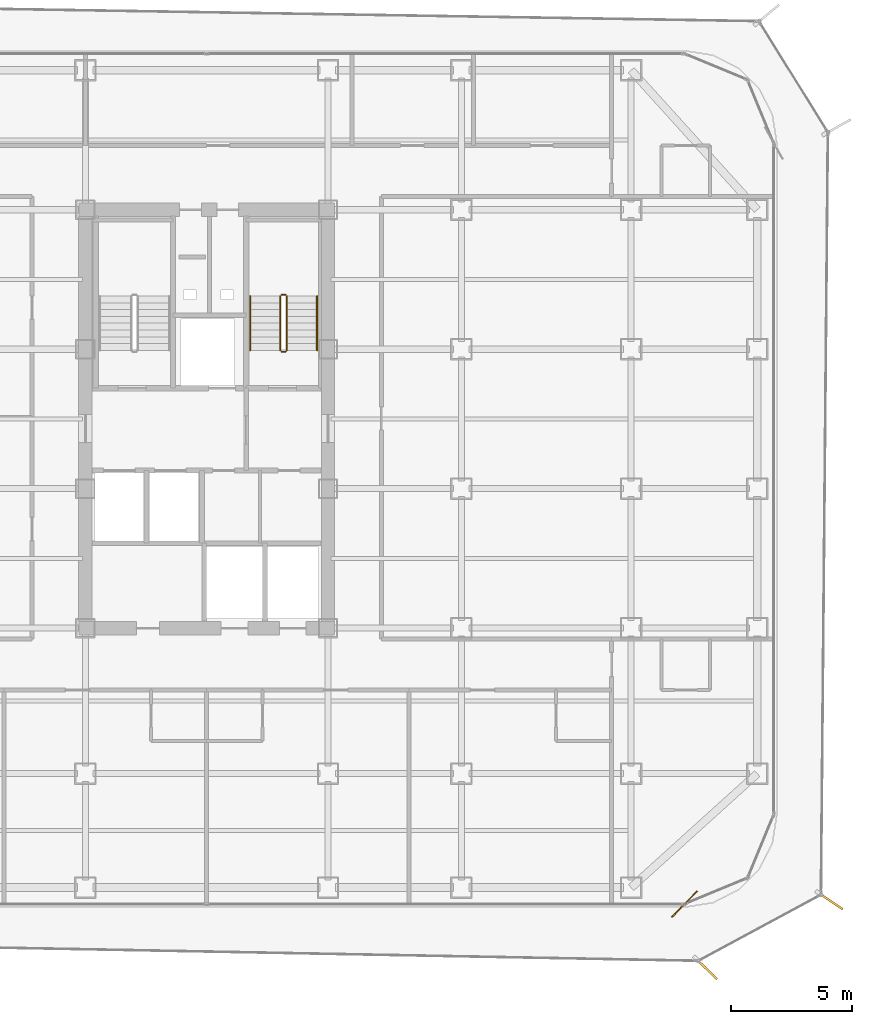
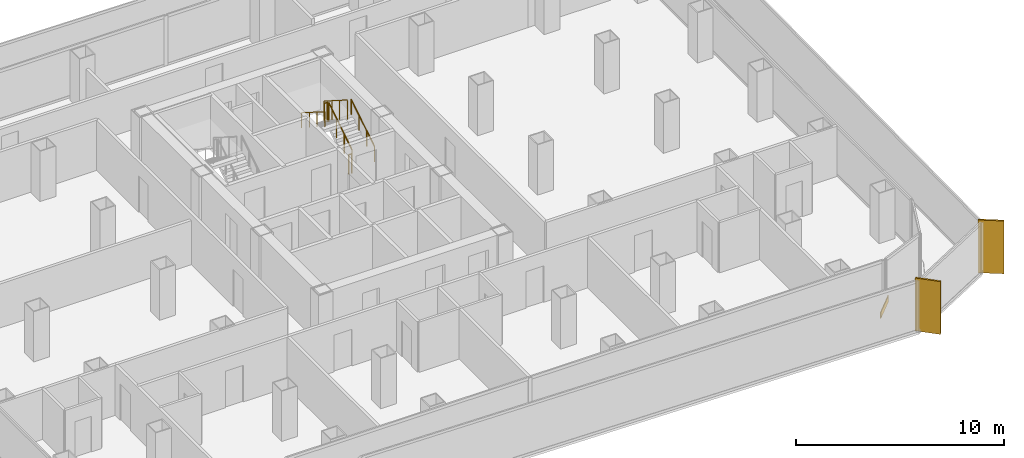
# One storey, part 20 of 21: 6 railings, 2 shading devices, 1 covering.
"""IFC4 building model written with IfcOpenShell, lengths in metres."""

import ifcopenshell
import ifcopenshell.guid

model = None  # the IFC model being written
_history = None  # IfcOwnerHistory: only IFC2X3 demands one
_inside = {}  # id of a spatial element -> (the spatial element, [elements in it])
_under = {}  # id of a project, library or spatial element -> (it, [spatial elements below it])
_declared = {}  # id of a project -> (the project, [libraries it declares])
_typed = {}  # id of a type object -> (the type object, [elements of that type])
_made_of = {}  # id of a material, layer set ... -> (it, [elements and type objects made of it])


def new_model(schema):
    """Start an empty IFC model of exactly this schema.

    Asked for "IFC4X3", IfcOpenShell would pick the latest addendum, in which some entities
    have other attributes; the version numbers below select the first issue.
    IFC2X3 requires an IfcOwnerHistory on every rooted entity: one is made here for all.
    """
    global model, _history
    if schema == "IFC4X3":
        model = ifcopenshell.file(schema_version=(4, 3, 0, 0))
    else:
        model = ifcopenshell.file(schema=schema)
    _inside.clear()
    _under.clear()
    _declared.clear()
    _typed.clear()
    _made_of.clear()
    _history = None
    if model.schema == "IFC2X3":
        org = make("IfcOrganization", Name="unknown")
        user = make(
            "IfcPersonAndOrganization",
            ThePerson=make("IfcPerson", FamilyName="unknown"),
            TheOrganization=org,
        )
        app = make(
            "IfcApplication",
            ApplicationDeveloper=org,
            Version="unknown",
            ApplicationFullName="unknown",
            ApplicationIdentifier="unknown",
        )
        _history = make(
            "IfcOwnerHistory",
            OwningUser=user,
            OwningApplication=app,
            ChangeAction="ADDED",
            CreationDate=0,
        )
    return model


def make(cls, **values):
    """One entity of the class cls with the attributes given. An attribute that is None is left unset."""
    return model.create_entity(
        cls, **{name: value for name, value in values.items() if value is not None}
    )


def rooted(cls, **values):
    """An entity with a GlobalId (a new one), such as an element, a storey or a relation."""
    return make(cls, GlobalId=ifcopenshell.guid.new(), OwnerHistory=_history, **values)


def si_unit(unit_type, name, prefix=None):
    """IfcSIUnit, for example si_unit("LENGTHUNIT", "METRE", prefix="MILLI")."""
    return make("IfcSIUnit", UnitType=unit_type, Prefix=prefix, Name=name)


def assignment(units):
    """IfcUnitAssignment: the units of a project."""
    return None if units is None else make("IfcUnitAssignment", Units=units)


def point(xyz):
    """IfcCartesianPoint."""
    return None if xyz is None else make("IfcCartesianPoint", Coordinates=xyz)


def direction(xyz):
    """IfcDirection."""
    return None if xyz is None else make("IfcDirection", DirectionRatios=xyz)


def frame(location, z_axis=None, x_axis=None):
    """IfcAxis2Placement3D, a coordinate frame: its origin and axes. An axis left out is left unset."""
    return make(
        "IfcAxis2Placement3D",
        Location=point(location),
        Axis=direction(z_axis),
        RefDirection=direction(x_axis),
    )


def frame_2d(location, x_axis=None):
    """IfcAxis2Placement2D, a coordinate frame in the plane: its origin and x axis."""
    return make(
        "IfcAxis2Placement2D", Location=point(location), RefDirection=direction(x_axis)
    )


def origin():
    """The frame at (0, 0, 0) with its axes left unset."""
    return frame((0.0, 0.0, 0.0))


def origin_2d():
    """The frame at (0, 0) in the plane with its x axis left unset."""
    return frame_2d((0.0, 0.0))


def place(relative_to, where):
    """IfcLocalPlacement: puts the frame where relative to a parent placement (None: the world)."""
    return make(
        "IfcLocalPlacement", PlacementRelTo=relative_to, RelativePlacement=where
    )


def context(
    kind, dimensions, precision=None, world=None, true_north=None, identifier=None
):
    """IfcGeometricRepresentationContext, for example the 3D "Model" context."""
    return make(
        "IfcGeometricRepresentationContext",
        ContextIdentifier=identifier,
        ContextType=kind,
        CoordinateSpaceDimension=dimensions,
        Precision=precision,
        WorldCoordinateSystem=world,
        TrueNorth=true_north,
    )


def subcontext(parent, identifier, kind, view, scale=None):
    """IfcGeometricRepresentationSubContext, for example "Body" below "Model"."""
    return make(
        "IfcGeometricRepresentationSubContext",
        ContextIdentifier=identifier,
        ContextType=kind,
        ParentContext=parent,
        TargetScale=scale,
        TargetView=view,
    )


def project(units=None, contexts=None):
    """IfcProject with its units and contexts."""
    return rooted(
        "IfcProject",
        Name="project",
        RepresentationContexts=contexts,
        UnitsInContext=assignment(units),
    )


def spatial(cls, under=None, at=None, **own):
    """A site, building, storey or space (cls), placed at a placement, below another one or the project."""
    s = rooted(cls, ObjectPlacement=at, **own)
    if under is not None:
        _under.setdefault(under.id(), (under, []))[1].append(s)
    return s


def profile(cls, at=None, kind="AREA", **sizes):
    """A parametric profile (cls). Its sizes go by their IFC names, for example OverallWidth=200.0."""
    return make(cls, ProfileType=kind, Position=at, **sizes)


def rectangle(**sizes):
    """IfcRectangleProfileDef."""
    return profile("IfcRectangleProfileDef", **sizes)


def circle(**sizes):
    """IfcCircleProfileDef."""
    return profile("IfcCircleProfileDef", **sizes)


def extrude(swept, where, along, depth):
    """IfcExtrudedAreaSolid: the profile swept, set in the frame where, extruded along a direction by depth."""
    return make(
        "IfcExtrudedAreaSolid",
        SweptArea=swept,
        Position=where,
        ExtrudedDirection=direction(along),
        Depth=depth,
    )


def shape(context_of_items, identifier, shape_type, items):
    """IfcShapeRepresentation: the items that make up one representation, for example the "Body"."""
    return make(
        "IfcShapeRepresentation",
        ContextOfItems=context_of_items,
        RepresentationIdentifier=identifier,
        RepresentationType=shape_type,
        Items=items,
    )


def source(mapping_origin, context_of_items, identifier, shape_type, items):
    """IfcRepresentationMap: a shape defined once, which mapped items show again and again."""
    return make(
        "IfcRepresentationMap",
        MappingOrigin=mapping_origin,
        MappedRepresentation=shape(context_of_items, identifier, shape_type, items),
    )


def transform(
    local_origin,
    x_axis=None,
    y_axis=None,
    z_axis=None,
    scale=None,
    scale2=None,
    scale3=None,
    uniform=True,
):
    """IfcCartesianTransformationOperator3D, or its non-uniform kind. x_axis, y_axis, z_axis: its Axis1, 2, 3."""
    if uniform:
        return make(
            "IfcCartesianTransformationOperator3D",
            Axis1=direction(x_axis),
            Axis2=direction(y_axis),
            LocalOrigin=point(local_origin),
            Scale=scale,
            Axis3=direction(z_axis),
        )
    return make(
        "IfcCartesianTransformationOperator3DnonUniform",
        Axis1=direction(x_axis),
        Axis2=direction(y_axis),
        LocalOrigin=point(local_origin),
        Scale=scale,
        Axis3=direction(z_axis),
        Scale2=scale2,
        Scale3=scale3,
    )


def mapped(mapping_source, mapping_target):
    """IfcMappedItem: shows the shape of a source again, moved by a transform."""
    return make(
        "IfcMappedItem", MappingSource=mapping_source, MappingTarget=mapping_target
    )


def material(Name=None, Category=None):
    """IfcMaterial."""
    return make("IfcMaterial", Name=Name, Category=Category)


def layer(
    of_material, thickness, ventilated=None, Name=None, Category=None, Priority=None
):
    """IfcMaterialLayer: one layer of a wall or slab, of a material (None: an air gap)."""
    return make(
        "IfcMaterialLayer",
        Material=of_material,
        LayerThickness=thickness,
        IsVentilated=ventilated,
        Name=Name,
        Category=Category,
        Priority=Priority,
    )


def layer_set(layers, Name=None):
    """IfcMaterialLayerSet."""
    return make("IfcMaterialLayerSet", MaterialLayers=layers, LayerSetName=Name)


def made_of(thing, what):
    """Note that an element or type object is made of a material, layer set ...; save() writes the relation."""
    if what is not None:
        _made_of.setdefault(what.id(), (what, []))[1].append(thing)
    return thing


def type_object(cls, material=None, **own):
    """A type object (cls), such as IfcWallType, which elements share."""
    return made_of(rooted(cls, **own), material)


def element(
    cls,
    number,
    at=None,
    inside=None,
    cuts=None,
    type_object=None,
    material=None,
    context=None,
    identifier="Body",
    shape_type=None,
    held_by="IfcProductDefinitionShape",
    body=None,
    shapes=None,
    **own,
):
    """One element of the class cls, such as IfcWall. Its Tag is "e" and its number.

    at: its placement. inside: the storey or other place that contains it. cuts: it is an
    opening in that element (IfcRelVoidsElement). A single representation is given by context,
    identifier, shape_type and body (its items); several are given by shapes. held_by: the class
    of the entity that holds the representations. save() writes the other relations.
    """
    e = rooted(cls, Tag="e%d" % number, ObjectPlacement=at, **own)
    if body is not None:
        shapes = [shape(context, identifier, shape_type, body)]
    if shapes is not None:
        e.Representation = make(held_by, Representations=shapes)
    if inside is not None:
        _inside.setdefault(inside.id(), (inside, []))[1].append(e)
    if cuts is not None:
        rooted(
            "IfcRelVoidsElement", RelatingBuildingElement=cuts, RelatedOpeningElement=e
        )
    if type_object is not None:
        _typed.setdefault(type_object.id(), (type_object, []))[1].append(e)
    return made_of(e, material)


def aggregate(whole, parts):
    """IfcRelAggregates: a whole, such as a stair, and the parts it consists of."""
    return rooted("IfcRelAggregates", RelatingObject=whole, RelatedObjects=parts)


def save(model, path):
    """Write the relations noted so far, then the file.

    IfcRelAggregates (storeys below a building ...), IfcRelContainedInSpatialStructure (elements
    in a storey), IfcRelDefinesByType, IfcRelAssociatesMaterial and IfcRelDeclares: one each for
    every whole, place, type object, material and project.
    """
    for whole, parts in _under.values():
        aggregate(whole, parts)
    for where, things in _inside.values():
        rooted(
            "IfcRelContainedInSpatialStructure",
            RelatedElements=things,
            RelatingStructure=where,
        )
    for kind, things in _typed.values():
        rooted("IfcRelDefinesByType", RelatedObjects=things, RelatingType=kind)
    for what, things in _made_of.values():
        rooted("IfcRelAssociatesMaterial", RelatedObjects=things, RelatingMaterial=what)
    for by, libraries in _declared.values():
        rooted("IfcRelDeclares", RelatingContext=by, RelatedDefinitions=libraries)
    model.write(path)


model = new_model("IFC4")

# Units and contexts
model_context = context("Model", 3, precision=1e-05, world=origin(), true_north=direction((0.0, 1.0)))
body_context = subcontext(model_context, "Body", "Model", "MODEL_VIEW")
ifc_project = project(units=[si_unit("LENGTHUNIT", "METRE"), si_unit("AREAUNIT", "SQUARE_METRE"), si_unit("VOLUMEUNIT", "CUBIC_METRE"), si_unit("PLANEANGLEUNIT", "RADIAN"), si_unit("MASSUNIT", "GRAM", prefix="KILO")], contexts=[model_context])

# Site, building, storey
site_placement = place(None, origin())
site = spatial("IfcSite", under=ifc_project, at=site_placement, CompositionType="ELEMENT")
building_placement = place(site_placement, origin())
building = spatial("IfcBuilding", under=site, at=building_placement, Name="Kolveth Station Tower", CompositionType="ELEMENT")
storey_placement = place(building_placement, frame((0.0, 0.0, 95.89990234375)))
storey = spatial("IfcBuildingStorey", under=building, at=storey_placement, Name="L25", CompositionType="ELEMENT", Elevation=95.89990234375)

# Railings
ifc_material_1 = material(Name="Painted Steel S355 balustrade", Category="steel")
railing_type_1 = type_object("IfcRailingType", Name="Guard_GR2", PredefinedType="BALUSTRADE", material=ifc_material_1)
railing_1_placement = place(storey_placement, frame((26.800048828125, 22.949951171875, 0.177978515625)))
element("IfcRailing", 1, at=railing_1_placement, inside=storey, type_object=railing_type_1, Name="L25 ST2 stair guard 1", PredefinedType="BALUSTRADE", context=body_context, shape_type="SweptSolid", body=[
    extrude(circle(Radius=0.02392578125, at=origin_2d()), frame((0.0, 0.0, 1.1259765625), z_axis=(0.0, 0.8442293374, 0.53598211339), x_axis=(-1.0, 0.0, 0.0)), (0.0, 0.0, 1.0), 2.6533203125),
    extrude(circle(Radius=0.02099609375, at=origin_2d()), origin(), (0.0, 0.0, 1.0), 1.101806640625),
    extrude(circle(Radius=0.02099609375, at=origin_2d()), frame((0.0, 0.74658203125, 0.47412109375)), (0.0, 0.0, 1.0), 1.101806640625),
    extrude(circle(Radius=0.02099609375, at=origin_2d()), frame((0.0, 1.493408203125, 0.947998046875)), (0.0, 0.0, 1.0), 1.101806640625),
    extrude(circle(Radius=0.02099609375, at=origin_2d()), frame((0.0, 2.239990234375, 1.422119140625)), (0.0, 0.0, 1.0), 1.101806640625),
])
railing_2_placement = place(storey_placement, frame((26.75, 25.239990234375, 1.60009765625)))
element("IfcRailing", 2, at=railing_2_placement, inside=storey, type_object=railing_type_1, Name="L25 ST2 stair guard 2", PredefinedType="BALUSTRADE", context=body_context, shape_type="SweptSolid", body=[
    extrude(circle(Radius=0.02392578125, at=origin_2d()), frame((0.0, 0.0, 1.1259765625), z_axis=(-1.0, 0.0, 0.0), x_axis=(0.0, -1.0, 0.0)), (0.0, 0.0, 1.0), 0.159912109375),
    extrude(circle(Radius=0.02099609375, at=origin_2d()), origin(), (0.0, 0.0, 1.0), 1.101806640625),
    extrude(circle(Radius=0.02099609375, at=origin_2d()), frame((-0.159912109375, 0.0, 0.0)), (0.0, 0.0, 1.0), 1.101806640625),
])
railing_3_placement = place(storey_placement, frame((26.5400390625, 25.18994140625, 1.77783203125)))
element("IfcRailing", 3, at=railing_3_placement, inside=storey, type_object=railing_type_1, Name="L25 ST2 stair guard 3", PredefinedType="BALUSTRADE", context=body_context, shape_type="SweptSolid", body=[
    extrude(circle(Radius=0.02392578125, at=origin_2d()), frame((0.0, 0.0, 1.1259765625), z_axis=(0.0, -0.84418770128, 0.536047689118), x_axis=(1.0, 0.0, 0.0)), (0.0, 0.0, 1.0), 2.6533203125),
    extrude(circle(Radius=0.02099609375, at=origin_2d()), origin(), (0.0, 0.0, 1.0), 1.101806640625),
    extrude(circle(Radius=0.02099609375, at=origin_2d()), frame((0.0, -0.74658203125, 0.47412109375)), (0.0, 0.0, 1.0), 1.101806640625),
    extrude(circle(Radius=0.02099609375, at=origin_2d()), frame((0.0, -1.493408203125, 0.9482421875)), (0.0, 0.0, 1.0), 1.101806640625),
    extrude(circle(Radius=0.02099609375, at=origin_2d()), frame((0.0, -2.239990234375, 1.42236328125)), (0.0, 0.0, 1.0), 1.101806640625),
])
railing_4_placement = place(storey_placement, frame((26.75, 22.89990234375, 0.0)))
element("IfcRailing", 4, at=railing_4_placement, inside=storey, type_object=railing_type_1, Name="L25 ST2 stair guard 4", PredefinedType="BALUSTRADE", context=body_context, shape_type="SweptSolid", body=[
    extrude(circle(Radius=0.02392578125, at=origin_2d()), frame((0.0, 0.0, 1.1259765625), z_axis=(-1.0, 0.0, 0.0), x_axis=(0.0, -1.0, 0.0)), (0.0, 0.0, 1.0), 0.159912109375),
    extrude(circle(Radius=0.02099609375, at=origin_2d()), origin(), (0.0, 0.0, 1.0), 1.101806640625),
    extrude(circle(Radius=0.02099609375, at=origin_2d()), frame((-0.159912109375, 0.0, 0.0)), (0.0, 0.0, 1.0), 1.101806640625),
])
ifc_material_2 = material(Name="Brushed stainless steel", Category="steel")
railing_type_2 = type_object("IfcRailingType", Name="Handrail_HR1", PredefinedType="HANDRAIL", material=ifc_material_2)
railing_5_placement = place(storey_placement, frame((28.050048828125, 22.949951171875, 0.177978515625)))
element("IfcRailing", 5, at=railing_5_placement, inside=storey, type_object=railing_type_2, Name="L25 ST2 stair handrail 1", PredefinedType="HANDRAIL", context=body_context, shape_type="SweptSolid", body=[
    extrude(circle(Radius=0.02392578125, at=origin_2d()), frame((0.0, 0.0, 0.8759765625), z_axis=(0.0, 0.8442293374, 0.53598211339), x_axis=(-1.0, 0.0, 0.0)), (0.0, 0.0, 1.0), 2.6533203125),
    extrude(circle(Radius=0.02099609375, at=origin_2d()), origin(), (0.0, 0.0, 1.0), 0.851806640625),
    extrude(circle(Radius=0.02099609375, at=origin_2d()), frame((0.0, 0.74658203125, 0.47412109375)), (0.0, 0.0, 1.0), 0.851806640625),
    extrude(circle(Radius=0.02099609375, at=origin_2d()), frame((0.0, 1.493408203125, 0.947998046875)), (0.0, 0.0, 1.0), 0.851806640625),
    extrude(circle(Radius=0.02099609375, at=origin_2d()), frame((0.0, 2.239990234375, 1.422119140625)), (0.0, 0.0, 1.0), 0.851806640625),
])
railing_6_placement = place(storey_placement, frame((25.2900390625, 25.18994140625, 1.77783203125)))
element("IfcRailing", 6, at=railing_6_placement, inside=storey, type_object=railing_type_2, Name="L25 ST2 stair handrail 2", PredefinedType="HANDRAIL", context=body_context, shape_type="SweptSolid", body=[
    extrude(circle(Radius=0.02392578125, at=origin_2d()), frame((0.0, 0.0, 0.8759765625), z_axis=(0.0, -0.84418770128, 0.536047689118), x_axis=(1.0, 0.0, 0.0)), (0.0, 0.0, 1.0), 2.6533203125),
    extrude(circle(Radius=0.02099609375, at=origin_2d()), origin(), (0.0, 0.0, 1.0), 0.851806640625),
    extrude(circle(Radius=0.02099609375, at=origin_2d()), frame((0.0, -0.74658203125, 0.47412109375)), (0.0, 0.0, 1.0), 0.851806640625),
    extrude(circle(Radius=0.02099609375, at=origin_2d()), frame((0.0, -1.493408203125, 0.9482421875)), (0.0, 0.0, 1.0), 0.851806640625),
    extrude(circle(Radius=0.02099609375, at=origin_2d()), frame((0.0, -2.239990234375, 1.42236328125)), (0.0, 0.0, 1.0), 0.851806640625),
])

# Shading devices
ifc_material_3 = material(Name="Black anodized aluminium 6063-T6", Category="aluminium")
shading_device_type = type_object("IfcShadingDeviceType", Name="FIN_VF1", PredefinedType="USERDEFINED", material=ifc_material_3)
shared_shape_1 = source(origin(), body_context, "Body", "SweptSolid", [
    extrude(rectangle(XDim=1.25, YDim=0.090087890625, at=origin_2d()), origin(), (0.0, 0.0, 1.0), 3.10009765625),
])
for number, where, z_axis, x_axis, name in (
    (7, (44.093994140625, -2.5390625, 0.0), (0.0, 0.0, 1.0), (0.714106238843, -0.700037341608, 0.0), "L25 Dark-Aluminium Solar Fin 1"),
    (8, (49.2060546875, 0.259033203125, 0.0), (0.0, 0.0, 1.0), (0.828255984098, -0.560349912828, 0.0), "L25 Dark-Aluminium Solar Fin 2"),
):
    element("IfcShadingDevice", number, at=place(storey_placement, frame(where, z_axis=z_axis, x_axis=x_axis)), inside=storey, type_object=shading_device_type, Name=name, ObjectType="FIN", PredefinedType="USERDEFINED", context=body_context, shape_type="MappedRepresentation", body=[
        mapped(shared_shape_1, transform((0.0, 0.0, 0.0), x_axis=(1.0, 0.0, 0.0), y_axis=(0.0, 1.0, 0.0), z_axis=(0.0, 0.0, 1.0), scale=1.0)),
    ])

# Covering
ifc_material_4 = material(Name="Charcoal anodized aluminium spandrel cladding", Category="aluminium")
ifc_layer = layer(ifc_material_4, 0.044921875)
ifc_layer_set = layer_set([ifc_layer], Name="Charcoal anodized aluminium spandrel cladding")
covering_type = type_object("IfcCoveringType", Name="Clad_CD1", PredefinedType="CLADDING", material=ifc_layer_set)
shared_shape_2 = source(origin(), body_context, "Body", "SweptSolid", [
    extrude(rectangle(XDim=1.5, YDim=0.044921875, at=origin_2d()), origin(), (0.0, 0.0, 1.0), 0.360107421875),
])
covering_placement = place(storey_placement, frame((43.199951171875, 0.1201171875, 0.0), z_axis=(0.0, 0.0, 1.0), x_axis=(0.700037341608, 0.714106238843, 0.0)))
element("IfcCovering", 9, at=covering_placement, inside=storey, type_object=covering_type, Name="L25 Spandrel Edge Cladding 1", PredefinedType="CLADDING", context=body_context, shape_type="MappedRepresentation", body=[
    mapped(shared_shape_2, transform((0.0, 0.0, 0.0), x_axis=(1.0, 0.0, 0.0), y_axis=(0.0, 1.0, 0.0), z_axis=(0.0, 0.0, 1.0), scale=1.0)),
])

save(model, "model.ifc")
